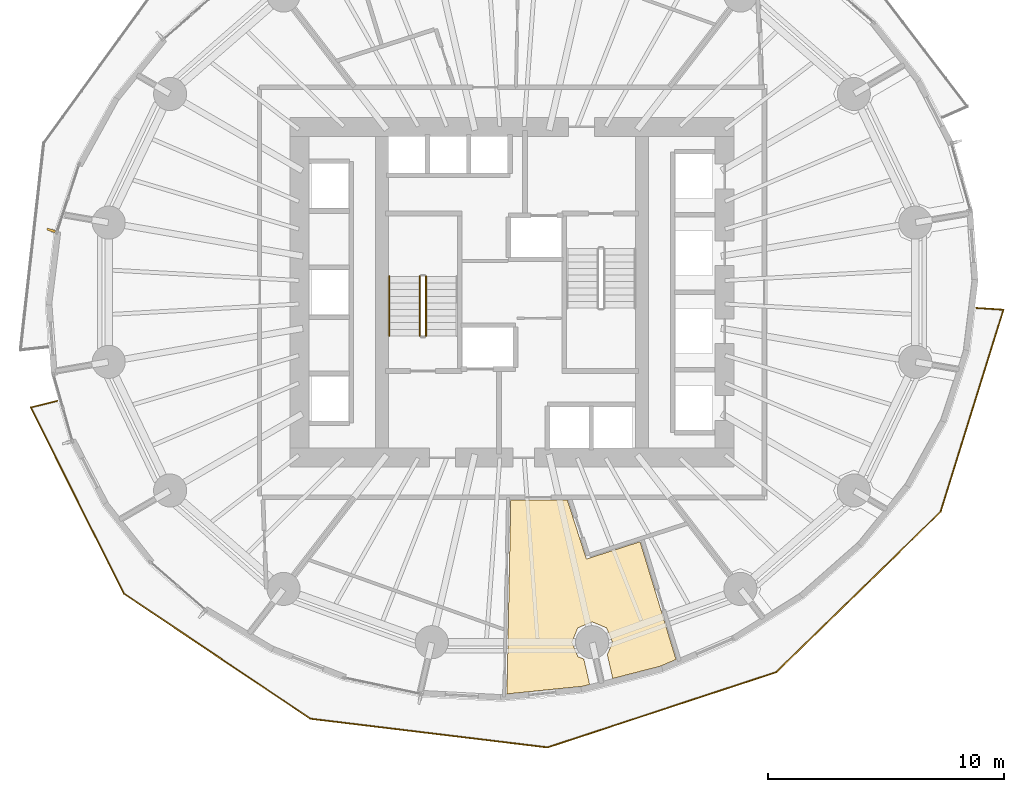
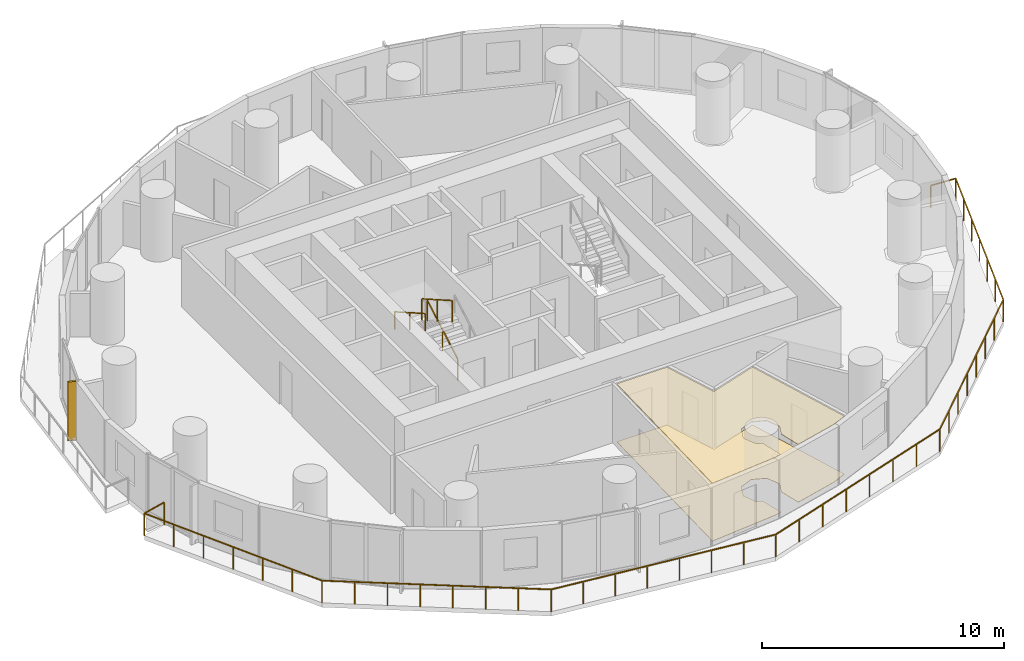
# One storey, part 11 of 13: 4 railings, 2 coverings, 1 shading device.
"""IFC4 building model written with IfcOpenShell, lengths in metres."""

import ifcopenshell
import ifcopenshell.guid

model = None  # the IFC model being written
_history = None  # IfcOwnerHistory: only IFC2X3 demands one
_inside = {}  # id of a spatial element -> (the spatial element, [elements in it])
_under = {}  # id of a project, library or spatial element -> (it, [spatial elements below it])
_declared = {}  # id of a project -> (the project, [libraries it declares])
_typed = {}  # id of a type object -> (the type object, [elements of that type])
_made_of = {}  # id of a material, layer set ... -> (it, [elements and type objects made of it])


def new_model(schema):
    """Start an empty IFC model of exactly this schema.

    Asked for "IFC4X3", IfcOpenShell would pick the latest addendum, in which some entities
    have other attributes; the version numbers below select the first issue.
    IFC2X3 requires an IfcOwnerHistory on every rooted entity: one is made here for all.
    """
    global model, _history
    if schema == "IFC4X3":
        model = ifcopenshell.file(schema_version=(4, 3, 0, 0))
    else:
        model = ifcopenshell.file(schema=schema)
    _inside.clear()
    _under.clear()
    _declared.clear()
    _typed.clear()
    _made_of.clear()
    _history = None
    if model.schema == "IFC2X3":
        org = make("IfcOrganization", Name="unknown")
        user = make(
            "IfcPersonAndOrganization",
            ThePerson=make("IfcPerson", FamilyName="unknown"),
            TheOrganization=org,
        )
        app = make(
            "IfcApplication",
            ApplicationDeveloper=org,
            Version="unknown",
            ApplicationFullName="unknown",
            ApplicationIdentifier="unknown",
        )
        _history = make(
            "IfcOwnerHistory",
            OwningUser=user,
            OwningApplication=app,
            ChangeAction="ADDED",
            CreationDate=0,
        )
    return model


def make(cls, **values):
    """One entity of the class cls with the attributes given. An attribute that is None is left unset."""
    return model.create_entity(
        cls, **{name: value for name, value in values.items() if value is not None}
    )


def rooted(cls, **values):
    """An entity with a GlobalId (a new one), such as an element, a storey or a relation."""
    return make(cls, GlobalId=ifcopenshell.guid.new(), OwnerHistory=_history, **values)


def si_unit(unit_type, name, prefix=None):
    """IfcSIUnit, for example si_unit("LENGTHUNIT", "METRE", prefix="MILLI")."""
    return make("IfcSIUnit", UnitType=unit_type, Prefix=prefix, Name=name)


def assignment(units):
    """IfcUnitAssignment: the units of a project."""
    return None if units is None else make("IfcUnitAssignment", Units=units)


def point(xyz):
    """IfcCartesianPoint."""
    return None if xyz is None else make("IfcCartesianPoint", Coordinates=xyz)


def direction(xyz):
    """IfcDirection."""
    return None if xyz is None else make("IfcDirection", DirectionRatios=xyz)


def frame(location, z_axis=None, x_axis=None):
    """IfcAxis2Placement3D, a coordinate frame: its origin and axes. An axis left out is left unset."""
    return make(
        "IfcAxis2Placement3D",
        Location=point(location),
        Axis=direction(z_axis),
        RefDirection=direction(x_axis),
    )


def frame_2d(location, x_axis=None):
    """IfcAxis2Placement2D, a coordinate frame in the plane: its origin and x axis."""
    return make(
        "IfcAxis2Placement2D", Location=point(location), RefDirection=direction(x_axis)
    )


def origin():
    """The frame at (0, 0, 0) with its axes left unset."""
    return frame((0.0, 0.0, 0.0))


def origin_2d():
    """The frame at (0, 0) in the plane with its x axis left unset."""
    return frame_2d((0.0, 0.0))


def place(relative_to, where):
    """IfcLocalPlacement: puts the frame where relative to a parent placement (None: the world)."""
    return make(
        "IfcLocalPlacement", PlacementRelTo=relative_to, RelativePlacement=where
    )


def context(
    kind, dimensions, precision=None, world=None, true_north=None, identifier=None
):
    """IfcGeometricRepresentationContext, for example the 3D "Model" context."""
    return make(
        "IfcGeometricRepresentationContext",
        ContextIdentifier=identifier,
        ContextType=kind,
        CoordinateSpaceDimension=dimensions,
        Precision=precision,
        WorldCoordinateSystem=world,
        TrueNorth=true_north,
    )


def subcontext(parent, identifier, kind, view, scale=None):
    """IfcGeometricRepresentationSubContext, for example "Body" below "Model"."""
    return make(
        "IfcGeometricRepresentationSubContext",
        ContextIdentifier=identifier,
        ContextType=kind,
        ParentContext=parent,
        TargetScale=scale,
        TargetView=view,
    )


def project(units=None, contexts=None):
    """IfcProject with its units and contexts."""
    return rooted(
        "IfcProject",
        Name="project",
        RepresentationContexts=contexts,
        UnitsInContext=assignment(units),
    )


def spatial(cls, under=None, at=None, **own):
    """A site, building, storey or space (cls), placed at a placement, below another one or the project."""
    s = rooted(cls, ObjectPlacement=at, **own)
    if under is not None:
        _under.setdefault(under.id(), (under, []))[1].append(s)
    return s


def polyline(points):
    """IfcPolyline through the points."""
    return make("IfcPolyline", Points=[point(p) for p in points])


def profile(cls, at=None, kind="AREA", **sizes):
    """A parametric profile (cls). Its sizes go by their IFC names, for example OverallWidth=200.0."""
    return make(cls, ProfileType=kind, Position=at, **sizes)


def rectangle(**sizes):
    """IfcRectangleProfileDef."""
    return profile("IfcRectangleProfileDef", **sizes)


def outline(outer, holes=None, kind="AREA"):
    """IfcArbitraryClosedProfileDef: a profile drawn as a closed curve; with holes, ...WithVoids."""
    if holes is None:
        return make("IfcArbitraryClosedProfileDef", ProfileType=kind, OuterCurve=outer)
    return make(
        "IfcArbitraryProfileDefWithVoids",
        ProfileType=kind,
        OuterCurve=outer,
        InnerCurves=holes,
    )


def extrude(swept, where, along, depth):
    """IfcExtrudedAreaSolid: the profile swept, set in the frame where, extruded along a direction by depth."""
    return make(
        "IfcExtrudedAreaSolid",
        SweptArea=swept,
        Position=where,
        ExtrudedDirection=direction(along),
        Depth=depth,
    )


def shape(context_of_items, identifier, shape_type, items):
    """IfcShapeRepresentation: the items that make up one representation, for example the "Body"."""
    return make(
        "IfcShapeRepresentation",
        ContextOfItems=context_of_items,
        RepresentationIdentifier=identifier,
        RepresentationType=shape_type,
        Items=items,
    )


def material(Name=None, Category=None):
    """IfcMaterial."""
    return make("IfcMaterial", Name=Name, Category=Category)


def layer(
    of_material, thickness, ventilated=None, Name=None, Category=None, Priority=None
):
    """IfcMaterialLayer: one layer of a wall or slab, of a material (None: an air gap)."""
    return make(
        "IfcMaterialLayer",
        Material=of_material,
        LayerThickness=thickness,
        IsVentilated=ventilated,
        Name=Name,
        Category=Category,
        Priority=Priority,
    )


def layer_set(layers, Name=None):
    """IfcMaterialLayerSet."""
    return make("IfcMaterialLayerSet", MaterialLayers=layers, LayerSetName=Name)


def made_of(thing, what):
    """Note that an element or type object is made of a material, layer set ...; save() writes the relation."""
    if what is not None:
        _made_of.setdefault(what.id(), (what, []))[1].append(thing)
    return thing


def type_object(cls, material=None, **own):
    """A type object (cls), such as IfcWallType, which elements share."""
    return made_of(rooted(cls, **own), material)


def element(
    cls,
    number,
    at=None,
    inside=None,
    cuts=None,
    type_object=None,
    material=None,
    context=None,
    identifier="Body",
    shape_type=None,
    held_by="IfcProductDefinitionShape",
    body=None,
    shapes=None,
    **own,
):
    """One element of the class cls, such as IfcWall. Its Tag is "e" and its number.

    at: its placement. inside: the storey or other place that contains it. cuts: it is an
    opening in that element (IfcRelVoidsElement). A single representation is given by context,
    identifier, shape_type and body (its items); several are given by shapes. held_by: the class
    of the entity that holds the representations. save() writes the other relations.
    """
    e = rooted(cls, Tag="e%d" % number, ObjectPlacement=at, **own)
    if body is not None:
        shapes = [shape(context, identifier, shape_type, body)]
    if shapes is not None:
        e.Representation = make(held_by, Representations=shapes)
    if inside is not None:
        _inside.setdefault(inside.id(), (inside, []))[1].append(e)
    if cuts is not None:
        rooted(
            "IfcRelVoidsElement", RelatingBuildingElement=cuts, RelatedOpeningElement=e
        )
    if type_object is not None:
        _typed.setdefault(type_object.id(), (type_object, []))[1].append(e)
    return made_of(e, material)


def aggregate(whole, parts):
    """IfcRelAggregates: a whole, such as a stair, and the parts it consists of."""
    return rooted("IfcRelAggregates", RelatingObject=whole, RelatedObjects=parts)


def save(model, path):
    """Write the relations noted so far, then the file.

    IfcRelAggregates (storeys below a building ...), IfcRelContainedInSpatialStructure (elements
    in a storey), IfcRelDefinesByType, IfcRelAssociatesMaterial and IfcRelDeclares: one each for
    every whole, place, type object, material and project.
    """
    for whole, parts in _under.values():
        aggregate(whole, parts)
    for where, things in _inside.values():
        rooted(
            "IfcRelContainedInSpatialStructure",
            RelatedElements=things,
            RelatingStructure=where,
        )
    for kind, things in _typed.values():
        rooted("IfcRelDefinesByType", RelatedObjects=things, RelatingType=kind)
    for what, things in _made_of.values():
        rooted("IfcRelAssociatesMaterial", RelatedObjects=things, RelatingMaterial=what)
    for by, libraries in _declared.values():
        rooted("IfcRelDeclares", RelatingContext=by, RelatedDefinitions=libraries)
    model.write(path)


model = new_model("IFC4")

# Units and contexts
model_context = context("Model", 3, precision=1e-05, world=origin(), true_north=direction((0.0, 1.0)))
body_context = subcontext(model_context, "Body", "Model", "MODEL_VIEW")
ifc_project = project(units=[si_unit("LENGTHUNIT", "METRE"), si_unit("AREAUNIT", "SQUARE_METRE"), si_unit("VOLUMEUNIT", "CUBIC_METRE"), si_unit("PLANEANGLEUNIT", "RADIAN"), si_unit("MASSUNIT", "GRAM", prefix="KILO")], contexts=[model_context])

# Site, building, storey
site_placement = place(None, origin())
site = spatial("IfcSite", under=ifc_project, at=site_placement, CompositionType="ELEMENT")
building_placement = place(site_placement, origin())
building = spatial("IfcBuilding", under=site, at=building_placement, Name="Veldorim Arch Residences", CompositionType="ELEMENT")
storey_placement = place(building_placement, frame((0.0, 0.0, 47.199951171875)))
storey = spatial("IfcBuildingStorey", under=building, at=storey_placement, Name="L13", CompositionType="ELEMENT", Elevation=47.199951171875)

# Railings
ifc_material_1 = material(Name="Aluminium", Category="aluminium")
railing_type_1 = type_object("IfcRailingType", Name="Balcony & Terrace Laminated Glass Balustrade 1150", PredefinedType="BALUSTRADE", material=ifc_material_1)
railing_1_placement = place(storey_placement, frame((12.75244140625, 19.40283203125, 0.0)))
element("IfcRailing", 1, at=railing_1_placement, inside=storey, type_object=railing_type_1, Name="L13 crescent balcony safety balustrade B", PredefinedType="BALUSTRADE", context=body_context, shape_type="SweptSolid", body=[
    extrude(rectangle(XDim=0.048095703125, YDim=0.048095703125, at=origin_2d()), frame((0.0, 0.0, 1.1259765625), z_axis=(-0.970590389113, -0.240736986276, 0.0), x_axis=(0.240736986276, -0.970590389113, 0.0)), (0.0, 0.0, 1.0), 1.150146484375),
    extrude(rectangle(XDim=0.048095703125, YDim=0.048095703125, at=origin_2d()), frame((-1.1162109375, -0.27685546875, 1.1259765625), z_axis=(0.447446279024, -0.8943108114, 0.0), x_axis=(0.8943108114, 0.447446279024, 0.0)), (0.0, 0.0, 1.0), 8.81298828125),
    extrude(rectangle(XDim=0.048095703125, YDim=0.048095703125, at=origin_2d()), frame((2.8271484375, -8.158447265625, 1.1259765625), z_axis=(0.830513368113, -0.556998694241, 0.0), x_axis=(0.556998694241, 0.830513368113, 0.0)), (0.0, 0.0, 1.0), 9.501708984375),
    extrude(rectangle(XDim=0.048095703125, YDim=0.048095703125, at=origin_2d()), frame((10.718505859375, -13.450927734375, 1.1259765625), z_axis=(0.992755717696, -0.120150260017, 0.0), x_axis=(0.120150260017, 0.992755717696, 0.0)), (0.0, 0.0, 1.0), 10.10498046875),
    extrude(rectangle(XDim=0.048095703125, YDim=0.048095703125, at=origin_2d()), frame((20.750244140625, -14.6650390625, 1.1259765625), z_axis=(0.949913820233, 0.31251197438, 0.0), x_axis=(-0.31251197438, 0.949913820233, 0.0)), (0.0, 0.0, 1.0), 10.197265625),
    extrude(rectangle(XDim=0.048095703125, YDim=0.048095703125, at=origin_2d()), frame((30.436767578125, -11.478271484375, 1.1259765625), z_axis=(0.715419152021, 0.69869552519, 0.0), x_axis=(-0.69869552519, 0.715419152021, 0.0)), (0.0, 0.0, 1.0), 9.7080078125),
    extrude(rectangle(XDim=0.048095703125, YDim=0.048095703125, at=origin_2d()), frame((37.382080078125, -4.6953125, 1.1259765625), z_axis=(0.297329905313, 0.954774804552, 0.0), x_axis=(-0.954774804552, 0.297329905313, 0.0)), (0.0, 0.0, 1.0), 8.959228515625),
    extrude(rectangle(XDim=0.048095703125, YDim=0.048095703125, at=origin_2d()), frame((40.0458984375, 3.858642578125, 1.1259765625), z_axis=(-0.997929266712, 0.064320903598, 0.0), x_axis=(-0.064320903598, -0.997929266712, 0.0)), (0.0, 0.0, 1.0), 1.150146484375),
    extrude(rectangle(XDim=0.0419921875, YDim=0.0419921875, at=origin_2d()), origin(), (0.0, 0.0, 1.0), 1.101806640625),
    extrude(rectangle(XDim=0.0419921875, YDim=0.0419921875, at=origin_2d()), frame((-1.1162109375, -0.27685546875, 0.0)), (0.0, 0.0, 1.0), 1.101806640625),
    extrude(rectangle(XDim=0.0419921875, YDim=0.0419921875, at=origin_2d()), frame((-0.458984375, -1.59033203125, 0.0)), (0.0, 0.0, 1.0), 1.101806640625),
    extrude(rectangle(XDim=0.0419921875, YDim=0.0419921875, at=origin_2d()), frame((0.1982421875, -2.904052734375, 0.0)), (0.0, 0.0, 1.0), 1.101806640625),
    extrude(rectangle(XDim=0.0419921875, YDim=0.0419921875, at=origin_2d()), frame((0.85546875, -4.2177734375, 0.0)), (0.0, 0.0, 1.0), 1.101806640625),
    extrude(rectangle(XDim=0.0419921875, YDim=0.0419921875, at=origin_2d()), frame((1.5126953125, -5.53125, 0.0)), (0.0, 0.0, 1.0), 1.101806640625),
    extrude(rectangle(XDim=0.0419921875, YDim=0.0419921875, at=origin_2d()), frame((2.169921875, -6.8447265625, 0.0)), (0.0, 0.0, 1.0), 1.101806640625),
    extrude(rectangle(XDim=0.0419921875, YDim=0.0419921875, at=origin_2d()), frame((2.8271484375, -8.158447265625, 0.0)), (0.0, 0.0, 1.0), 1.101806640625),
    extrude(rectangle(XDim=0.0419921875, YDim=0.0419921875, at=origin_2d()), frame((3.95458984375, -8.91455078125, 0.0)), (0.0, 0.0, 1.0), 1.101806640625),
    extrude(rectangle(XDim=0.0419921875, YDim=0.0419921875, at=origin_2d()), frame((5.081787109375, -9.670654296875, 0.0)), (0.0, 0.0, 1.0), 1.101806640625),
    extrude(rectangle(XDim=0.0419921875, YDim=0.0419921875, at=origin_2d()), frame((6.209228515625, -10.4267578125, 0.0)), (0.0, 0.0, 1.0), 1.101806640625),
    extrude(rectangle(XDim=0.0419921875, YDim=0.0419921875, at=origin_2d()), frame((7.33642578125, -11.1826171875, 0.0)), (0.0, 0.0, 1.0), 1.101806640625),
    extrude(rectangle(XDim=0.0419921875, YDim=0.0419921875, at=origin_2d()), frame((8.4638671875, -11.938720703125, 0.0)), (0.0, 0.0, 1.0), 1.101806640625),
    extrude(rectangle(XDim=0.0419921875, YDim=0.0419921875, at=origin_2d()), frame((9.591064453125, -12.69482421875, 0.0)), (0.0, 0.0, 1.0), 1.101806640625),
    extrude(rectangle(XDim=0.0419921875, YDim=0.0419921875, at=origin_2d()), frame((10.718505859375, -13.450927734375, 0.0)), (0.0, 0.0, 1.0), 1.101806640625),
    extrude(rectangle(XDim=0.0419921875, YDim=0.0419921875, at=origin_2d()), frame((12.151611328125, -13.624267578125, 0.0)), (0.0, 0.0, 1.0), 1.101806640625),
    extrude(rectangle(XDim=0.0419921875, YDim=0.0419921875, at=origin_2d()), frame((13.584716796875, -13.7978515625, 0.0)), (0.0, 0.0, 1.0), 1.101806640625),
    extrude(rectangle(XDim=0.0419921875, YDim=0.0419921875, at=origin_2d()), frame((15.017822265625, -13.97119140625, 0.0)), (0.0, 0.0, 1.0), 1.101806640625),
    extrude(rectangle(XDim=0.0419921875, YDim=0.0419921875, at=origin_2d()), frame((16.450927734375, -14.144775390625, 0.0)), (0.0, 0.0, 1.0), 1.101806640625),
    extrude(rectangle(XDim=0.0419921875, YDim=0.0419921875, at=origin_2d()), frame((17.884033203125, -14.318115234375, 0.0)), (0.0, 0.0, 1.0), 1.101806640625),
    extrude(rectangle(XDim=0.0419921875, YDim=0.0419921875, at=origin_2d()), frame((19.317138671875, -14.49169921875, 0.0)), (0.0, 0.0, 1.0), 1.101806640625),
    extrude(rectangle(XDim=0.0419921875, YDim=0.0419921875, at=origin_2d()), frame((20.750244140625, -14.6650390625, 0.0)), (0.0, 0.0, 1.0), 1.101806640625),
    extrude(rectangle(XDim=0.0419921875, YDim=0.0419921875, at=origin_2d()), frame((22.134033203125, -14.209716796875, 0.0)), (0.0, 0.0, 1.0), 1.101806640625),
    extrude(rectangle(XDim=0.0419921875, YDim=0.0419921875, at=origin_2d()), frame((23.517822265625, -13.754638671875, 0.0)), (0.0, 0.0, 1.0), 1.101806640625),
    extrude(rectangle(XDim=0.0419921875, YDim=0.0419921875, at=origin_2d()), frame((24.901611328125, -13.29931640625, 0.0)), (0.0, 0.0, 1.0), 1.101806640625),
    extrude(rectangle(XDim=0.0419921875, YDim=0.0419921875, at=origin_2d()), frame((26.285400390625, -12.843994140625, 0.0)), (0.0, 0.0, 1.0), 1.101806640625),
    extrude(rectangle(XDim=0.0419921875, YDim=0.0419921875, at=origin_2d()), frame((27.669189453125, -12.388671875, 0.0)), (0.0, 0.0, 1.0), 1.101806640625),
    extrude(rectangle(XDim=0.0419921875, YDim=0.0419921875, at=origin_2d()), frame((29.052978515625, -11.93359375, 0.0)), (0.0, 0.0, 1.0), 1.101806640625),
    extrude(rectangle(XDim=0.0419921875, YDim=0.0419921875, at=origin_2d()), frame((30.436767578125, -11.478271484375, 0.0)), (0.0, 0.0, 1.0), 1.101806640625),
    extrude(rectangle(XDim=0.0419921875, YDim=0.0419921875, at=origin_2d()), frame((31.428955078125, -10.50927734375, 0.0)), (0.0, 0.0, 1.0), 1.101806640625),
    extrude(rectangle(XDim=0.0419921875, YDim=0.0419921875, at=origin_2d()), frame((32.421142578125, -9.540283203125, 0.0)), (0.0, 0.0, 1.0), 1.101806640625),
    extrude(rectangle(XDim=0.0419921875, YDim=0.0419921875, at=origin_2d()), frame((33.413330078125, -8.5712890625, 0.0)), (0.0, 0.0, 1.0), 1.101806640625),
    extrude(rectangle(XDim=0.0419921875, YDim=0.0419921875, at=origin_2d()), frame((34.405517578125, -7.602294921875, 0.0)), (0.0, 0.0, 1.0), 1.101806640625),
    extrude(rectangle(XDim=0.0419921875, YDim=0.0419921875, at=origin_2d()), frame((35.397705078125, -6.63330078125, 0.0)), (0.0, 0.0, 1.0), 1.101806640625),
    extrude(rectangle(XDim=0.0419921875, YDim=0.0419921875, at=origin_2d()), frame((36.389892578125, -5.664306640625, 0.0)), (0.0, 0.0, 1.0), 1.101806640625),
    extrude(rectangle(XDim=0.0419921875, YDim=0.0419921875, at=origin_2d()), frame((37.382080078125, -4.6953125, 0.0)), (0.0, 0.0, 1.0), 1.101806640625),
    extrude(rectangle(XDim=0.0419921875, YDim=0.0419921875, at=origin_2d()), frame((37.826171875, -3.26953125, 0.0)), (0.0, 0.0, 1.0), 1.101806640625),
    extrude(rectangle(XDim=0.0419921875, YDim=0.0419921875, at=origin_2d()), frame((38.27001953125, -1.843994140625, 0.0)), (0.0, 0.0, 1.0), 1.101806640625),
    extrude(rectangle(XDim=0.0419921875, YDim=0.0419921875, at=origin_2d()), frame((38.7138671875, -0.41845703125, 0.0)), (0.0, 0.0, 1.0), 1.101806640625),
    extrude(rectangle(XDim=0.0419921875, YDim=0.0419921875, at=origin_2d()), frame((39.157958984375, 1.00732421875, 0.0)), (0.0, 0.0, 1.0), 1.101806640625),
    extrude(rectangle(XDim=0.0419921875, YDim=0.0419921875, at=origin_2d()), frame((39.60205078125, 2.43310546875, 0.0)), (0.0, 0.0, 1.0), 1.101806640625),
    extrude(rectangle(XDim=0.0419921875, YDim=0.0419921875, at=origin_2d()), frame((40.0458984375, 3.858642578125, 0.0)), (0.0, 0.0, 1.0), 1.101806640625),
    extrude(rectangle(XDim=0.0419921875, YDim=0.0419921875, at=origin_2d()), frame((38.898193359375, 3.9326171875, 0.0)), (0.0, 0.0, 1.0), 1.101806640625),
])
ifc_material_2 = material(Name="Steel S355", Category="steel")
railing_type_2 = type_object("IfcRailingType", Name="Galvanised Steel Stair Safety Guardrail 1100", PredefinedType="GUARDRAIL", material=ifc_material_2)
railing_2_placement = place(storey_placement, frame((28.360107421875, 22.14990234375, 0.16015625)))
element("IfcRailing", 2, at=railing_2_placement, inside=storey, type_object=railing_type_2, Name="L13 ST-1 stair guard 1", PredefinedType="GUARDRAIL", context=body_context, shape_type="SweptSolid", body=[
    extrude(rectangle(XDim=0.048095703125, YDim=0.048095703125, at=origin_2d()), frame((0.0, 0.0, 1.076171875), z_axis=(0.0, 0.868253494771, 0.496120820787), x_axis=(-1.0, 0.0, 0.0)), (0.0, 0.0, 1.0), 2.90234375),
    extrude(rectangle(XDim=0.0419921875, YDim=0.0419921875, at=origin_2d()), origin(), (0.0, 0.0, 1.0), 1.052001953125),
    extrude(rectangle(XDim=0.0419921875, YDim=0.0419921875, at=origin_2d()), frame((0.0, 1.260009765625, 0.719970703125)), (0.0, 0.0, 1.0), 1.052001953125),
    extrude(rectangle(XDim=0.0419921875, YDim=0.0419921875, at=origin_2d()), frame((0.0, 2.52001953125, 1.43994140625)), (0.0, 0.0, 1.0), 1.052001953125),
])
railing_3_placement = place(storey_placement, frame((28.10009765625, 24.669921875, 1.760009765625)))
element("IfcRailing", 3, at=railing_3_placement, inside=storey, type_object=railing_type_2, Name="L13 ST-1 stair guard 3", PredefinedType="GUARDRAIL", context=body_context, shape_type="SweptSolid", body=[
    extrude(rectangle(XDim=0.048095703125, YDim=0.048095703125, at=origin_2d()), frame((0.0, 0.0, 1.076171875), z_axis=(0.0, -0.868253494771, 0.496120820787), x_axis=(1.0, 0.0, 0.0)), (0.0, 0.0, 1.0), 2.90234375),
    extrude(rectangle(XDim=0.0419921875, YDim=0.0419921875, at=origin_2d()), origin(), (0.0, 0.0, 1.0), 1.052001953125),
    extrude(rectangle(XDim=0.0419921875, YDim=0.0419921875, at=origin_2d()), frame((0.0, -1.260009765625, 0.719970703125)), (0.0, 0.0, 1.0), 1.052001953125),
    extrude(rectangle(XDim=0.0419921875, YDim=0.0419921875, at=origin_2d()), frame((0.0, -2.52001953125, 1.43994140625)), (0.0, 0.0, 1.0), 1.052001953125),
])

# Coverings
ifc_material_3 = material(Name="Acoustic Gypsum & Mineral Fibre", Category="gypsum")
ifc_layer_1 = layer(ifc_material_3, 0.034912109375, Name="Perforated Acoustic Mineral-Fibre Ceiling 35")
ifc_layer_set_1 = layer_set([ifc_layer_1], Name="Acoustic Gypsum & Mineral Fibre")
covering_type_1 = type_object("IfcCoveringType", Name="Perforated Acoustic Mineral-Fibre Ceiling 35", PredefinedType="CEILING", material=ifc_layer_set_1)
covering_1_placement = place(storey_placement, frame((0.0, 0.0, 2.905029296875)))
element("IfcCovering", 4, at=covering_1_placement, inside=storey, type_object=covering_type_1, Name="L13 acoustic suspended ceiling 01", PredefinedType="CEILING", context=body_context, shape_type="SweptSolid", body=[
    extrude(outline(polyline([(36.25439453125, 9.190185546875), (36.002685546875, 9.798095703125), (35.39453125, 10.050048828125), (34.78662109375, 9.798095703125), (34.53466796875, 9.190185546875), (34.78662109375, 8.58203125), (35.039794921875, 8.47705078125), (35.28564453125, 7.40478515625), (34.96484375, 7.322265625), (31.787841796875, 7.003173828125), (31.947998046875, 15.199951171875), (34.34521484375, 15.199951171875), (35.1494140625, 12.709228515625), (37.42041015625, 13.4423828125), (38.942138671875, 8.4609375), (38.265625, 8.17138671875), (36.26416015625, 7.656494140625), (36.034423828125, 8.658935546875), (36.25439453125, 9.190185546875)])), origin(), (0.0, 0.0, 1.0), 0.034912109375),
])
ifc_material_4 = material(Name="Porcelain Ceramic Tile", Category="ceramic")
ifc_layer_2 = layer(ifc_material_4, 0.02001953125, Name="Slip-Resistant Porcelain & Vinyl Floor Finish 20")
ifc_layer_set_2 = layer_set([ifc_layer_2], Name="Porcelain Ceramic Tile")
covering_type_2 = type_object("IfcCoveringType", Name="Slip-Resistant Porcelain & Vinyl Floor Finish 20", PredefinedType="FLOORING", material=ifc_layer_set_2)
covering_2_placement = place(storey_placement, origin())
element("IfcCovering", 5, at=covering_2_placement, inside=storey, type_object=covering_type_2, Name="L13 porcelain floor finish 01", PredefinedType="FLOORING", context=body_context, shape_type="SweptSolid", body=[
    extrude(outline(polyline([(36.25439453125, 9.190185546875), (36.002685546875, 9.798095703125), (35.39453125, 10.050048828125), (34.78662109375, 9.798095703125), (34.53466796875, 9.190185546875), (34.78662109375, 8.58203125), (35.039794921875, 8.47705078125), (35.28564453125, 7.40478515625), (34.96484375, 7.322265625), (31.787841796875, 7.003173828125), (31.947998046875, 15.199951171875), (34.34521484375, 15.199951171875), (35.1494140625, 12.709228515625), (37.42041015625, 13.4423828125), (38.942138671875, 8.4609375), (38.265625, 8.17138671875), (36.26416015625, 7.656494140625), (36.034423828125, 8.658935546875), (36.25439453125, 9.190185546875)])), origin(), (0.0, 0.0, 1.0), 0.02001953125),
])

# Railing
ifc_material_5 = material(Name="Stainless Steel", Category="steel")
railing_type_3 = type_object("IfcRailingType", Name="Tubular Steel Continuous Wall Handrail 900", PredefinedType="HANDRAIL", material=ifc_material_5)
railing_4_placement = place(storey_placement, frame((26.800048828125, 24.669921875, 1.760009765625)))
element("IfcRailing", 6, at=railing_4_placement, inside=storey, type_object=railing_type_3, Name="L13 ST-1 stair handrail 2", PredefinedType="HANDRAIL", context=body_context, shape_type="SweptSolid", body=[
    extrude(rectangle(XDim=0.048095703125, YDim=0.048095703125, at=origin_2d()), frame((0.0, 0.0, 0.8759765625), z_axis=(0.0, -0.868253494771, 0.496120820787), x_axis=(1.0, 0.0, 0.0)), (0.0, 0.0, 1.0), 2.90234375),
    extrude(rectangle(XDim=0.0419921875, YDim=0.0419921875, at=origin_2d()), origin(), (0.0, 0.0, 1.0), 0.851806640625),
    extrude(rectangle(XDim=0.0419921875, YDim=0.0419921875, at=origin_2d()), frame((0.0, -1.260009765625, 0.719970703125)), (0.0, 0.0, 1.0), 0.851806640625),
    extrude(rectangle(XDim=0.0419921875, YDim=0.0419921875, at=origin_2d()), frame((0.0, -2.52001953125, 1.43994140625)), (0.0, 0.0, 1.0), 0.851806640625),
])

# Shading device
ifc_material_6 = material(Name="Terracotta Ceramic", Category="masonry")
ifc_layer_3 = layer(ifc_material_6, 0.090087890625, Name="Vertical Extruded Terracotta Baguette Sun-Shading Fin")
ifc_layer_set_3 = layer_set([ifc_layer_3], Name="Terracotta Ceramic")
shading_device_type = type_object("IfcShadingDeviceType", Name="Vertical Extruded Terracotta Baguette Sun-Shading Fin", PredefinedType="USERDEFINED", material=ifc_layer_set_3)
shading_device_placement = place(storey_placement, frame((12.497802734375, 26.6201171875, 0.0), z_axis=(0.0, 0.0, 1.0), x_axis=(0.311505792684, 0.950244253402, 0.0)))
element("IfcShadingDevice", 7, at=shading_device_placement, inside=storey, type_object=shading_device_type, Name="L13 vertical terracotta sun-shading fin 16", ObjectType="FIN", PredefinedType="USERDEFINED", context=body_context, shape_type="SweptSolid", body=[
    extrude(rectangle(XDim=0.090087890625, YDim=0.360107421875, at=origin_2d()), origin(), (0.0, 0.0, 1.0), 2.9599609375),
])

save(model, "model.ifc")
